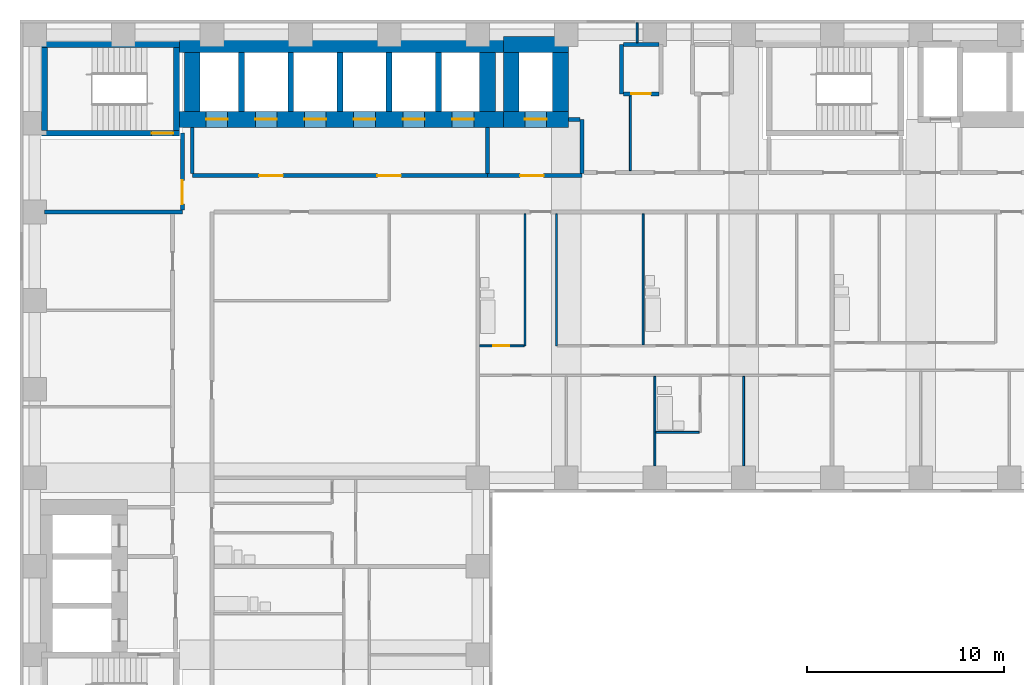
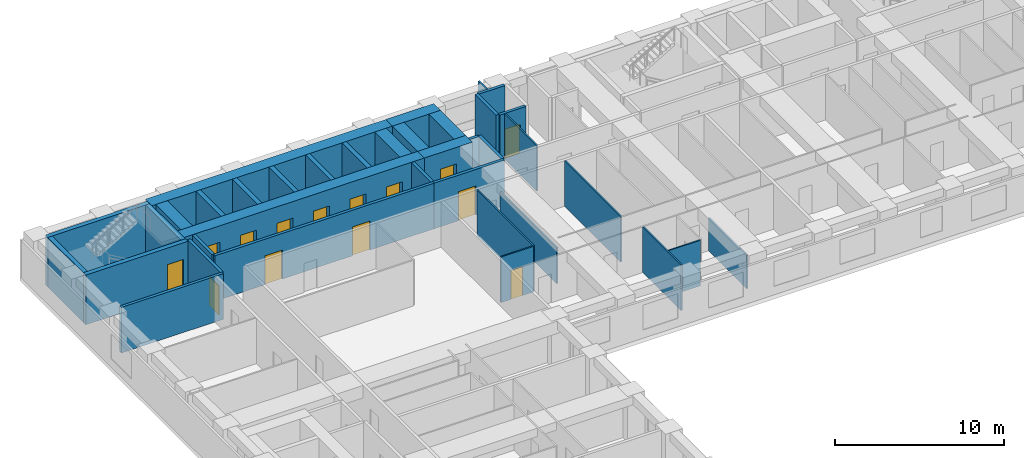
# One storey, part 5 of 12: 37 walls, 14 doors, 14 openings.
"""IFC4 building model written with IfcOpenShell, lengths in metres."""

import ifcopenshell
import ifcopenshell.guid

model = None  # the IFC model being written
_history = None  # IfcOwnerHistory: only IFC2X3 demands one
_inside = {}  # id of a spatial element -> (the spatial element, [elements in it])
_under = {}  # id of a project, library or spatial element -> (it, [spatial elements below it])
_declared = {}  # id of a project -> (the project, [libraries it declares])
_typed = {}  # id of a type object -> (the type object, [elements of that type])
_made_of = {}  # id of a material, layer set ... -> (it, [elements and type objects made of it])


def new_model(schema):
    """Start an empty IFC model of exactly this schema.

    Asked for "IFC4X3", IfcOpenShell would pick the latest addendum, in which some entities
    have other attributes; the version numbers below select the first issue.
    IFC2X3 requires an IfcOwnerHistory on every rooted entity: one is made here for all.
    """
    global model, _history
    if schema == "IFC4X3":
        model = ifcopenshell.file(schema_version=(4, 3, 0, 0))
    else:
        model = ifcopenshell.file(schema=schema)
    _inside.clear()
    _under.clear()
    _declared.clear()
    _typed.clear()
    _made_of.clear()
    _history = None
    if model.schema == "IFC2X3":
        org = make("IfcOrganization", Name="unknown")
        user = make(
            "IfcPersonAndOrganization",
            ThePerson=make("IfcPerson", FamilyName="unknown"),
            TheOrganization=org,
        )
        app = make(
            "IfcApplication",
            ApplicationDeveloper=org,
            Version="unknown",
            ApplicationFullName="unknown",
            ApplicationIdentifier="unknown",
        )
        _history = make(
            "IfcOwnerHistory",
            OwningUser=user,
            OwningApplication=app,
            ChangeAction="ADDED",
            CreationDate=0,
        )
    return model


def make(cls, **values):
    """One entity of the class cls with the attributes given. An attribute that is None is left unset."""
    return model.create_entity(
        cls, **{name: value for name, value in values.items() if value is not None}
    )


def rooted(cls, **values):
    """An entity with a GlobalId (a new one), such as an element, a storey or a relation."""
    return make(cls, GlobalId=ifcopenshell.guid.new(), OwnerHistory=_history, **values)


def si_unit(unit_type, name, prefix=None):
    """IfcSIUnit, for example si_unit("LENGTHUNIT", "METRE", prefix="MILLI")."""
    return make("IfcSIUnit", UnitType=unit_type, Prefix=prefix, Name=name)


def assignment(units):
    """IfcUnitAssignment: the units of a project."""
    return None if units is None else make("IfcUnitAssignment", Units=units)


def point(xyz):
    """IfcCartesianPoint."""
    return None if xyz is None else make("IfcCartesianPoint", Coordinates=xyz)


def direction(xyz):
    """IfcDirection."""
    return None if xyz is None else make("IfcDirection", DirectionRatios=xyz)


def frame(location, z_axis=None, x_axis=None):
    """IfcAxis2Placement3D, a coordinate frame: its origin and axes. An axis left out is left unset."""
    return make(
        "IfcAxis2Placement3D",
        Location=point(location),
        Axis=direction(z_axis),
        RefDirection=direction(x_axis),
    )


def frame_2d(location, x_axis=None):
    """IfcAxis2Placement2D, a coordinate frame in the plane: its origin and x axis."""
    return make(
        "IfcAxis2Placement2D", Location=point(location), RefDirection=direction(x_axis)
    )


def origin():
    """The frame at (0, 0, 0) with its axes left unset."""
    return frame((0.0, 0.0, 0.0))


def place(relative_to, where):
    """IfcLocalPlacement: puts the frame where relative to a parent placement (None: the world)."""
    return make(
        "IfcLocalPlacement", PlacementRelTo=relative_to, RelativePlacement=where
    )


def context(
    kind, dimensions, precision=None, world=None, true_north=None, identifier=None
):
    """IfcGeometricRepresentationContext, for example the 3D "Model" context."""
    return make(
        "IfcGeometricRepresentationContext",
        ContextIdentifier=identifier,
        ContextType=kind,
        CoordinateSpaceDimension=dimensions,
        Precision=precision,
        WorldCoordinateSystem=world,
        TrueNorth=true_north,
    )


def subcontext(parent, identifier, kind, view, scale=None):
    """IfcGeometricRepresentationSubContext, for example "Body" below "Model"."""
    return make(
        "IfcGeometricRepresentationSubContext",
        ContextIdentifier=identifier,
        ContextType=kind,
        ParentContext=parent,
        TargetScale=scale,
        TargetView=view,
    )


def project(units=None, contexts=None):
    """IfcProject with its units and contexts."""
    return rooted(
        "IfcProject",
        Name="project",
        RepresentationContexts=contexts,
        UnitsInContext=assignment(units),
    )


def spatial(cls, under=None, at=None, **own):
    """A site, building, storey or space (cls), placed at a placement, below another one or the project."""
    s = rooted(cls, ObjectPlacement=at, **own)
    if under is not None:
        _under.setdefault(under.id(), (under, []))[1].append(s)
    return s


def profile(cls, at=None, kind="AREA", **sizes):
    """A parametric profile (cls). Its sizes go by their IFC names, for example OverallWidth=200.0."""
    return make(cls, ProfileType=kind, Position=at, **sizes)


def rectangle(**sizes):
    """IfcRectangleProfileDef."""
    return profile("IfcRectangleProfileDef", **sizes)


def extrude(swept, where, along, depth):
    """IfcExtrudedAreaSolid: the profile swept, set in the frame where, extruded along a direction by depth."""
    return make(
        "IfcExtrudedAreaSolid",
        SweptArea=swept,
        Position=where,
        ExtrudedDirection=direction(along),
        Depth=depth,
    )


def shape(context_of_items, identifier, shape_type, items):
    """IfcShapeRepresentation: the items that make up one representation, for example the "Body"."""
    return make(
        "IfcShapeRepresentation",
        ContextOfItems=context_of_items,
        RepresentationIdentifier=identifier,
        RepresentationType=shape_type,
        Items=items,
    )


def material(Name=None, Category=None):
    """IfcMaterial."""
    return make("IfcMaterial", Name=Name, Category=Category)


def layer(
    of_material, thickness, ventilated=None, Name=None, Category=None, Priority=None
):
    """IfcMaterialLayer: one layer of a wall or slab, of a material (None: an air gap)."""
    return make(
        "IfcMaterialLayer",
        Material=of_material,
        LayerThickness=thickness,
        IsVentilated=ventilated,
        Name=Name,
        Category=Category,
        Priority=Priority,
    )


def layer_set(layers, Name=None):
    """IfcMaterialLayerSet."""
    return make("IfcMaterialLayerSet", MaterialLayers=layers, LayerSetName=Name)


def made_of(thing, what):
    """Note that an element or type object is made of a material, layer set ...; save() writes the relation."""
    if what is not None:
        _made_of.setdefault(what.id(), (what, []))[1].append(thing)
    return thing


def type_object(cls, material=None, **own):
    """A type object (cls), such as IfcWallType, which elements share."""
    return made_of(rooted(cls, **own), material)


def element(
    cls,
    number,
    at=None,
    inside=None,
    cuts=None,
    type_object=None,
    material=None,
    context=None,
    identifier="Body",
    shape_type=None,
    held_by="IfcProductDefinitionShape",
    body=None,
    shapes=None,
    **own,
):
    """One element of the class cls, such as IfcWall. Its Tag is "e" and its number.

    at: its placement. inside: the storey or other place that contains it. cuts: it is an
    opening in that element (IfcRelVoidsElement). A single representation is given by context,
    identifier, shape_type and body (its items); several are given by shapes. held_by: the class
    of the entity that holds the representations. save() writes the other relations.
    """
    e = rooted(cls, Tag="e%d" % number, ObjectPlacement=at, **own)
    if body is not None:
        shapes = [shape(context, identifier, shape_type, body)]
    if shapes is not None:
        e.Representation = make(held_by, Representations=shapes)
    if inside is not None:
        _inside.setdefault(inside.id(), (inside, []))[1].append(e)
    if cuts is not None:
        rooted(
            "IfcRelVoidsElement", RelatingBuildingElement=cuts, RelatedOpeningElement=e
        )
    if type_object is not None:
        _typed.setdefault(type_object.id(), (type_object, []))[1].append(e)
    return made_of(e, material)


def fill(opening, filler):
    """IfcRelFillsElement: the door or window that sits in an opening."""
    return rooted(
        "IfcRelFillsElement",
        RelatingOpeningElement=opening,
        RelatedBuildingElement=filler,
    )


def aggregate(whole, parts):
    """IfcRelAggregates: a whole, such as a stair, and the parts it consists of."""
    return rooted("IfcRelAggregates", RelatingObject=whole, RelatedObjects=parts)


def save(model, path):
    """Write the relations noted so far, then the file.

    IfcRelAggregates (storeys below a building ...), IfcRelContainedInSpatialStructure (elements
    in a storey), IfcRelDefinesByType, IfcRelAssociatesMaterial and IfcRelDeclares: one each for
    every whole, place, type object, material and project.
    """
    for whole, parts in _under.values():
        aggregate(whole, parts)
    for where, things in _inside.values():
        rooted(
            "IfcRelContainedInSpatialStructure",
            RelatedElements=things,
            RelatingStructure=where,
        )
    for kind, things in _typed.values():
        rooted("IfcRelDefinesByType", RelatedObjects=things, RelatingType=kind)
    for what, things in _made_of.values():
        rooted("IfcRelAssociatesMaterial", RelatedObjects=things, RelatingMaterial=what)
    for by, libraries in _declared.values():
        rooted("IfcRelDeclares", RelatingContext=by, RelatedDefinitions=libraries)
    model.write(path)


model = new_model("IFC4")

# Units and contexts
model_context = context("Model", 3, precision=1e-05, world=origin(), true_north=direction((0.0, 1.0)))
body_context = subcontext(model_context, "Body", "Model", "MODEL_VIEW")
ifc_project = project(units=[si_unit("LENGTHUNIT", "METRE"), si_unit("AREAUNIT", "SQUARE_METRE"), si_unit("VOLUMEUNIT", "CUBIC_METRE"), si_unit("PLANEANGLEUNIT", "RADIAN"), si_unit("MASSUNIT", "GRAM", prefix="KILO")], contexts=[model_context])

# Site, building, storey
site_placement = place(None, origin())
site = spatial("IfcSite", under=ifc_project, at=site_placement, CompositionType="ELEMENT")
building_placement = place(site_placement, origin())
building = spatial("IfcBuilding", under=site, at=building_placement, Name="Firuza Court", CompositionType="ELEMENT")
storey_placement = place(building_placement, frame((0.0, 0.0, 54.199951171875)))
storey = spatial("IfcBuildingStorey", under=building, at=storey_placement, Name="L12", CompositionType="ELEMENT", Elevation=54.199951171875)

# Walls
ifc_material_1 = material(Name="Moisture-resistant gypsum board partition")
ifc_layer_1 = layer(ifc_material_1, 0.10009765625)
ifc_layer_set_1 = layer_set([ifc_layer_1], Name="Moisture-resistant gypsum board partition")
wall_type_1 = type_object("IfcWallType", Name="Bathroom partition 100", PredefinedType="PLUMBINGWALL", material=ifc_layer_set_1)
wall_1_placement = place(storey_placement, frame((31.550048828125, 38.300048828125, 0.0), z_axis=(0.0, 0.0, 1.0), x_axis=(1.0, 0.0, 0.0)))
element("IfcWall", 1, at=wall_1_placement, inside=storey, type_object=wall_type_1, Name="Bathroom partition 100 L12", PredefinedType="PLUMBINGWALL", context=body_context, shape_type="SweptSolid", body=[
    extrude(rectangle(XDim=2.199951171875, YDim=0.10009765625, at=frame_2d((1.10009765625, 0.0))), origin(), (0.0, 0.0, 1.0), 3.300048828125),
])
wall_2_placement = place(storey_placement, frame((24.89990234375, 42.699951171875, 0.0), z_axis=(0.0, 0.0, 1.0), x_axis=(0.0, 1.0, 0.0)))
element("IfcWall", 2, at=wall_2_placement, inside=storey, type_object=wall_type_1, Name="Bathroom partition 100 L12", PredefinedType="PLUMBINGWALL", context=body_context, shape_type="SweptSolid", body=[
    extrude(rectangle(XDim=6.699951171875, YDim=0.10009765625, at=frame_2d((3.35009765625, 0.0))), origin(), (0.0, 0.0, 1.0), 3.300048828125),
])
wall_3_placement = place(storey_placement, frame((30.89990234375, 42.75, 0.0), z_axis=(0.0, 0.0, 1.0), x_axis=(0.0, 1.0, 0.0)))
element("IfcWall", 3, at=wall_3_placement, inside=storey, type_object=wall_type_1, Name="Bathroom partition 100 L12", PredefinedType="PLUMBINGWALL", context=body_context, shape_type="SweptSolid", body=[
    extrude(rectangle(XDim=6.64990234375, YDim=0.10009765625, at=frame_2d((3.324951171875, 0.0))), origin(), (0.0, 0.0, 1.0), 3.300048828125),
])

# Wall, opening, door
ifc_material_2 = material(Name="Concrete C60/75", Category="concrete")
ifc_layer_2 = layer(ifc_material_2, 0.300048828125)
ifc_layer_set_2 = layer_set([ifc_layer_2], Name="Concrete C60/75")
wall_type_2 = type_object("IfcWallType", Name="Core wall 300 C60/75", PredefinedType="SHEAR", material=ifc_layer_set_2)
wall_4_placement = place(storey_placement, frame((0.35009765625, 53.5, -0.300048828125), z_axis=(0.0, 0.0, 1.0), x_axis=(1.0, 0.0, 0.0)))
wall_4 = element("IfcWall", 4, at=wall_4_placement, inside=storey, type_object=wall_type_2, Name="Core wall stair L12", PredefinedType="SHEAR", context=body_context, shape_type="SweptSolid", body=[
    extrude(rectangle(XDim=7.0, YDim=0.300048828125, at=frame_2d((3.5, 0.0))), origin(), (0.0, 0.0, 1.0), 3.60009765625),
])
opening_1_placement = place(wall_4_placement, frame((5.580078125, 0.0, 0.300048828125)))
opening_1 = element("IfcOpeningElement", 5, at=opening_1_placement, cuts=wall_4, Name="Opening D12016", PredefinedType="OPENING", context=body_context, shape_type="SweptSolid", body=[
    extrude(rectangle(XDim=1.10009765625, YDim=2.10009765625, at=frame_2d((0.550048828125, 1.050048828125))), frame((0.0, 0.162109375, 0.0), z_axis=(0.0, -1.0, 0.0), x_axis=(1.0, 0.0, 0.0)), (0.0, 0.0, 1.0), 0.323974609375),
])
ifc_material_3 = material(Name="Timber door leaf in hardwood frame", Category="wood")
door_type_1 = type_object("IfcDoorType", Name="Stair door 1100", OperationType="SINGLE_SWING_LEFT", PredefinedType="DOOR", material=ifc_material_3)
door_1_placement = place(opening_1_placement, origin())
door_1 = element("IfcDoor", 6, at=door_1_placement, inside=storey, type_object=door_type_1, Name="Stair door S3", OperationType="SINGLE_SWING_RIGHT", OverallHeight=2.10009765625, OverallWidth=1.10009765625, PredefinedType="DOOR", context=body_context, shape_type="SweptSolid", body=[
    extrude(rectangle(XDim=1.10009765625, YDim=2.10009765625, at=frame_2d((0.550048828125, 1.050048828125))), frame((0.0, 0.02490234375, 0.0), z_axis=(0.0, -1.0, 0.0), x_axis=(1.0, 0.0, 0.0)), (0.0, 0.0, 1.0), 0.050048828125),
])
fill(opening_1, door_1)

# Walls
wall_5_placement = place(storey_placement, frame((0.35009765625, 58.0, -0.300048828125), z_axis=(0.0, 0.0, 1.0), x_axis=(1.0, 0.0, 0.0)))
element("IfcWall", 7, at=wall_5_placement, inside=storey, type_object=wall_type_2, Name="Core wall stair L12", PredefinedType="SHEAR", context=body_context, shape_type="SweptSolid", body=[
    extrude(rectangle(XDim=7.0, YDim=0.300048828125, at=frame_2d((3.5, 0.0))), origin(), (0.0, 0.0, 1.0), 3.60009765625),
])
for number, where, z_axis, x_axis, name in (
    (8, (0.5, 53.64990234375, -0.300048828125), (0.0, 0.0, 1.0), (0.0, 1.0, 0.0), "Core wall stair L12"),
    (9, (7.199951171875, 53.64990234375, -0.300048828125), (0.0, 0.0, 1.0), (0.0, 1.0, 0.0), "Core wall stair L12"),
):
    element("IfcWall", number, at=place(storey_placement, frame(where, z_axis=z_axis, x_axis=x_axis)), inside=storey, type_object=wall_type_2, Name=name, PredefinedType="SHEAR", context=body_context, shape_type="SweptSolid", body=[
        extrude(rectangle(XDim=4.2001953125, YDim=0.300048828125, at=frame_2d((2.10009765625, 0.0))), origin(), (0.0, 0.0, 1.0), 3.60009765625),
    ])
for number, where, z_axis, x_axis, name in (
    (10, (10.5, 54.60009765625, -0.300048828125), (0.0, 0.0, 1.0), (0.0, 1.0, 0.0), "Core wall lift shaft L12"),
    (11, (13.0, 54.60009765625, -0.300048828125), (0.0, 0.0, 1.0), (0.0, 1.0, 0.0), "Core wall lift shaft L12"),
    (12, (15.5, 54.60009765625, -0.300048828125), (0.0, 0.0, 1.0), (0.0, 1.0, 0.0), "Core wall lift shaft L12"),
    (13, (18.0, 54.60009765625, -0.300048828125), (0.0, 0.0, 1.0), (0.0, 1.0, 0.0), "Core wall lift shaft L12"),
    (14, (20.5, 54.60009765625, -0.300048828125), (0.0, 0.0, 1.0), (0.0, 1.0, 0.0), "Core wall lift shaft L12"),
):
    element("IfcWall", number, at=place(storey_placement, frame(where, z_axis=z_axis, x_axis=x_axis)), inside=storey, type_object=wall_type_2, Name=name, PredefinedType="SHEAR", context=body_context, shape_type="SweptSolid", body=[
        extrude(rectangle(XDim=3.0, YDim=0.300048828125, at=frame_2d((1.5, 0.0))), origin(), (0.0, 0.0, 1.0), 3.60009765625),
    ])

# Wall, openings, doors
ifc_layer_3 = layer(ifc_material_2, 0.800048828125)
ifc_layer_set_3 = layer_set([ifc_layer_3], Name="Concrete C60/75")
wall_type_3 = type_object("IfcWallType", Name="Core wall 800 C60/75", PredefinedType="SHEAR", material=ifc_layer_set_3)
wall_6_placement = place(storey_placement, frame((7.35009765625, 54.199951171875, -0.300048828125), z_axis=(0.0, 0.0, 1.0), x_axis=(1.0, 0.0, 0.0)))
wall_6 = element("IfcWall", 15, at=wall_6_placement, inside=storey, type_object=wall_type_3, Name="Core wall lift shaft L12", PredefinedType="SHEAR", context=body_context, shape_type="SweptSolid", body=[
    extrude(rectangle(XDim=16.449951171875, YDim=0.800048828125, at=frame_2d((8.22509765625, 0.0))), origin(), (0.0, 0.0, 1.0), 3.60009765625),
])
opening_2_placement = place(wall_6_placement, frame((1.35009765625, 0.0, 0.300048828125)))
opening_2 = element("IfcOpeningElement", 16, at=opening_2_placement, cuts=wall_6, Name="Opening LD-LB1-12", PredefinedType="OPENING", context=body_context, shape_type="SweptSolid", body=[
    extrude(rectangle(XDim=1.10009765625, YDim=2.10009765625, at=frame_2d((0.550048828125, 1.050048828125))), frame((0.0, 0.412109375, 0.0), z_axis=(0.0, -1.0, 0.0), x_axis=(1.0, 0.0, 0.0)), (0.0, 0.0, 1.0), 0.823974609375),
])
opening_3_placement = place(wall_6_placement, frame((3.85009765625, 0.0, 0.300048828125)))
opening_3 = element("IfcOpeningElement", 17, at=opening_3_placement, cuts=wall_6, Name="Opening LD-LB2-12", PredefinedType="OPENING", context=body_context, shape_type="SweptSolid", body=[
    extrude(rectangle(XDim=1.10009765625, YDim=2.10009765625, at=frame_2d((0.550048828125, 1.050048828125))), frame((0.0, 0.412109375, 0.0), z_axis=(0.0, -1.0, 0.0), x_axis=(1.0, 0.0, 0.0)), (0.0, 0.0, 1.0), 0.823974609375),
])
opening_4_placement = place(wall_6_placement, frame((6.35009765625, 0.0, 0.300048828125)))
opening_4 = element("IfcOpeningElement", 18, at=opening_4_placement, cuts=wall_6, Name="Opening LD-LB3-12", PredefinedType="OPENING", context=body_context, shape_type="SweptSolid", body=[
    extrude(rectangle(XDim=1.10009765625, YDim=2.10009765625, at=frame_2d((0.550048828125, 1.050048828125))), frame((0.0, 0.412109375, 0.0), z_axis=(0.0, -1.0, 0.0), x_axis=(1.0, 0.0, 0.0)), (0.0, 0.0, 1.0), 0.823974609375),
])
opening_5_placement = place(wall_6_placement, frame((8.85009765625, 0.0, 0.300048828125)))
opening_5 = element("IfcOpeningElement", 19, at=opening_5_placement, cuts=wall_6, Name="Opening LD-LB4-12", PredefinedType="OPENING", context=body_context, shape_type="SweptSolid", body=[
    extrude(rectangle(XDim=1.10009765625, YDim=2.10009765625, at=frame_2d((0.550048828125, 1.050048828125))), frame((0.0, 0.412109375, 0.0), z_axis=(0.0, -1.0, 0.0), x_axis=(1.0, 0.0, 0.0)), (0.0, 0.0, 1.0), 0.823974609375),
])
opening_6_placement = place(wall_6_placement, frame((11.35009765625, 0.0, 0.300048828125)))
opening_6 = element("IfcOpeningElement", 20, at=opening_6_placement, cuts=wall_6, Name="Opening LD-LB5-12", PredefinedType="OPENING", context=body_context, shape_type="SweptSolid", body=[
    extrude(rectangle(XDim=1.10009765625, YDim=2.10009765625, at=frame_2d((0.550048828125, 1.050048828125))), frame((0.0, 0.412109375, 0.0), z_axis=(0.0, -1.0, 0.0), x_axis=(1.0, 0.0, 0.0)), (0.0, 0.0, 1.0), 0.823974609375),
])
opening_7_placement = place(wall_6_placement, frame((13.85009765625, 0.0, 0.300048828125)))
opening_7 = element("IfcOpeningElement", 21, at=opening_7_placement, cuts=wall_6, Name="Opening LD-LB6-12", PredefinedType="OPENING", context=body_context, shape_type="SweptSolid", body=[
    extrude(rectangle(XDim=1.10009765625, YDim=2.10009765625, at=frame_2d((0.550048828125, 1.050048828125))), frame((0.0, 0.412109375, 0.0), z_axis=(0.0, -1.0, 0.0), x_axis=(1.0, 0.0, 0.0)), (0.0, 0.0, 1.0), 0.823974609375),
])
ifc_material_4 = material(Name="Stainless steel 1.4301 door leaf", Category="steel")
door_type_2 = type_object("IfcDoorType", Name="Lift landing door 1100", OperationType="SLIDING_TO_LEFT", PredefinedType="DOOR", material=ifc_material_4)
door_2_placement = place(opening_2_placement, origin())
door_2 = element("IfcDoor", 22, at=door_2_placement, inside=storey, type_object=door_type_2, Name="Landing door LB1", OperationType="SLIDING_TO_LEFT", OverallHeight=2.10009765625, OverallWidth=1.10009765625, PredefinedType="DOOR", context=body_context, shape_type="SweptSolid", body=[
    extrude(rectangle(XDim=1.10009765625, YDim=2.10009765625, at=frame_2d((0.550048828125, 1.050048828125))), frame((0.0, 0.02490234375, 0.0), z_axis=(0.0, -1.0, 0.0), x_axis=(1.0, 0.0, 0.0)), (0.0, 0.0, 1.0), 0.050048828125),
])
fill(opening_2, door_2)
door_3_placement = place(opening_3_placement, origin())
door_3 = element("IfcDoor", 23, at=door_3_placement, inside=storey, type_object=door_type_2, Name="Landing door LB2", OperationType="SLIDING_TO_LEFT", OverallHeight=2.10009765625, OverallWidth=1.10009765625, PredefinedType="DOOR", context=body_context, shape_type="SweptSolid", body=[
    extrude(rectangle(XDim=1.10009765625, YDim=2.10009765625, at=frame_2d((0.550048828125, 1.050048828125))), frame((0.0, 0.02490234375, 0.0), z_axis=(0.0, -1.0, 0.0), x_axis=(1.0, 0.0, 0.0)), (0.0, 0.0, 1.0), 0.050048828125),
])
fill(opening_3, door_3)
door_4_placement = place(opening_4_placement, origin())
door_4 = element("IfcDoor", 24, at=door_4_placement, inside=storey, type_object=door_type_2, Name="Landing door LB3", OperationType="SLIDING_TO_LEFT", OverallHeight=2.10009765625, OverallWidth=1.10009765625, PredefinedType="DOOR", context=body_context, shape_type="SweptSolid", body=[
    extrude(rectangle(XDim=1.10009765625, YDim=2.10009765625, at=frame_2d((0.550048828125, 1.050048828125))), frame((0.0, 0.02490234375, 0.0), z_axis=(0.0, -1.0, 0.0), x_axis=(1.0, 0.0, 0.0)), (0.0, 0.0, 1.0), 0.050048828125),
])
fill(opening_4, door_4)
door_5_placement = place(opening_5_placement, origin())
door_5 = element("IfcDoor", 25, at=door_5_placement, inside=storey, type_object=door_type_2, Name="Landing door LB4", OperationType="SLIDING_TO_LEFT", OverallHeight=2.10009765625, OverallWidth=1.10009765625, PredefinedType="DOOR", context=body_context, shape_type="SweptSolid", body=[
    extrude(rectangle(XDim=1.10009765625, YDim=2.10009765625, at=frame_2d((0.550048828125, 1.050048828125))), frame((0.0, 0.02490234375, 0.0), z_axis=(0.0, -1.0, 0.0), x_axis=(1.0, 0.0, 0.0)), (0.0, 0.0, 1.0), 0.050048828125),
])
fill(opening_5, door_5)
door_6_placement = place(opening_6_placement, origin())
door_6 = element("IfcDoor", 26, at=door_6_placement, inside=storey, type_object=door_type_2, Name="Landing door LB5", OperationType="SLIDING_TO_LEFT", OverallHeight=2.10009765625, OverallWidth=1.10009765625, PredefinedType="DOOR", context=body_context, shape_type="SweptSolid", body=[
    extrude(rectangle(XDim=1.10009765625, YDim=2.10009765625, at=frame_2d((0.550048828125, 1.050048828125))), frame((0.0, 0.02490234375, 0.0), z_axis=(0.0, -1.0, 0.0), x_axis=(1.0, 0.0, 0.0)), (0.0, 0.0, 1.0), 0.050048828125),
])
fill(opening_6, door_6)
door_7_placement = place(opening_7_placement, origin())
door_7 = element("IfcDoor", 27, at=door_7_placement, inside=storey, type_object=door_type_2, Name="Landing door LB6", OperationType="SLIDING_TO_LEFT", OverallHeight=2.10009765625, OverallWidth=1.10009765625, PredefinedType="DOOR", context=body_context, shape_type="SweptSolid", body=[
    extrude(rectangle(XDim=1.10009765625, YDim=2.10009765625, at=frame_2d((0.550048828125, 1.050048828125))), frame((0.0, 0.02490234375, 0.0), z_axis=(0.0, -1.0, 0.0), x_axis=(1.0, 0.0, 0.0)), (0.0, 0.0, 1.0), 0.050048828125),
])
fill(opening_7, door_7)

# Walls
wall_7_placement = place(storey_placement, frame((7.35009765625, 58.0, -0.300048828125), z_axis=(0.0, 0.0, 1.0), x_axis=(1.0, 0.0, 0.0)))
element("IfcWall", 28, at=wall_7_placement, inside=storey, type_object=wall_type_3, Name="Core wall lift shaft L12", PredefinedType="SHEAR", context=body_context, shape_type="SweptSolid", body=[
    extrude(rectangle(XDim=16.449951171875, YDim=0.800048828125, at=frame_2d((8.22509765625, 0.0))), origin(), (0.0, 0.0, 1.0), 3.60009765625),
])
for number, where, z_axis, x_axis, name in (
    (29, (8.0, 54.60009765625, -0.300048828125), (0.0, 0.0, 1.0), (0.0, 1.0, 0.0), "Core wall lift shaft L12"),
    (30, (23.0, 54.60009765625, -0.300048828125), (0.0, 0.0, 1.0), (0.0, 1.0, 0.0), "Core wall lift shaft L12"),
):
    element("IfcWall", number, at=place(storey_placement, frame(where, z_axis=z_axis, x_axis=x_axis)), inside=storey, type_object=wall_type_3, Name=name, PredefinedType="SHEAR", context=body_context, shape_type="SweptSolid", body=[
        extrude(rectangle(XDim=3.0, YDim=0.800048828125, at=frame_2d((1.5, 0.0))), origin(), (0.0, 0.0, 1.0), 3.60009765625),
    ])

# Wall, opening, door
wall_8_placement = place(storey_placement, frame((23.800048828125, 54.199951171875, -0.300048828125), z_axis=(0.0, 0.0, 1.0), x_axis=(1.0, 0.0, 0.0)))
wall_8 = element("IfcWall", 31, at=wall_8_placement, inside=storey, type_object=wall_type_3, Name="Core wall lift shaft L12", PredefinedType="SHEAR", context=body_context, shape_type="SweptSolid", body=[
    extrude(rectangle(XDim=3.300048828125, YDim=0.800048828125, at=frame_2d((1.64990234375, 0.0))), origin(), (0.0, 0.0, 1.0), 3.60009765625),
])
opening_8_placement = place(wall_8_placement, frame((1.10009765625, 0.0, 0.300048828125)))
opening_8 = element("IfcOpeningElement", 32, at=opening_8_placement, cuts=wall_8, Name="Opening LD-FL3-12", PredefinedType="OPENING", context=body_context, shape_type="SweptSolid", body=[
    extrude(rectangle(XDim=1.10009765625, YDim=2.10009765625, at=frame_2d((0.550048828125, 1.050048828125))), frame((0.0, 0.412109375, 0.0), z_axis=(0.0, -1.0, 0.0), x_axis=(1.0, 0.0, 0.0)), (0.0, 0.0, 1.0), 0.823974609375),
])
door_8_placement = place(opening_8_placement, origin())
door_8 = element("IfcDoor", 33, at=door_8_placement, inside=storey, type_object=door_type_2, Name="Landing door FL3", OperationType="SLIDING_TO_LEFT", OverallHeight=2.10009765625, OverallWidth=1.10009765625, PredefinedType="DOOR", context=body_context, shape_type="SweptSolid", body=[
    extrude(rectangle(XDim=1.10009765625, YDim=2.10009765625, at=frame_2d((0.550048828125, 1.050048828125))), frame((0.0, 0.02490234375, 0.0), z_axis=(0.0, -1.0, 0.0), x_axis=(1.0, 0.0, 0.0)), (0.0, 0.0, 1.0), 0.050048828125),
])
fill(opening_8, door_8)

# Walls
wall_9_placement = place(storey_placement, frame((23.800048828125, 58.0, -0.300048828125), z_axis=(0.0, 0.0, 1.0), x_axis=(1.0, 0.0, 0.0)))
element("IfcWall", 34, at=wall_9_placement, inside=storey, type_object=wall_type_3, Name="Core wall lift shaft L12", PredefinedType="SHEAR", context=body_context, shape_type="SweptSolid", body=[
    extrude(rectangle(XDim=3.300048828125, YDim=0.800048828125, at=frame_2d((1.64990234375, 0.0))), origin(), (0.0, 0.0, 1.0), 3.60009765625),
])
for number, where, z_axis, x_axis, name in (
    (35, (24.199951171875, 54.60009765625, -0.300048828125), (0.0, 0.0, 1.0), (0.0, 1.0, 0.0), "Core wall lift shaft L12"),
    (36, (26.699951171875, 54.60009765625, -0.300048828125), (0.0, 0.0, 1.0), (0.0, 1.0, 0.0), "Core wall lift shaft L12"),
):
    element("IfcWall", number, at=place(storey_placement, frame(where, z_axis=z_axis, x_axis=x_axis)), inside=storey, type_object=wall_type_3, Name=name, PredefinedType="SHEAR", context=body_context, shape_type="SweptSolid", body=[
        extrude(rectangle(XDim=3.0, YDim=0.800048828125, at=frame_2d((1.5, 0.0))), origin(), (0.0, 0.0, 1.0), 3.60009765625),
    ])
ifc_material_5 = material(Name="Timber stud partition, plasterboard both sides", Category="wood")
ifc_layer_4 = layer(ifc_material_5, 0.10009765625)
ifc_layer_set_4 = layer_set([ifc_layer_4], Name="Timber stud partition, plasterboard both sides")
wall_type_4 = type_object("IfcWallType", Name="Partition wall 100", PredefinedType="PARTITIONING", material=ifc_layer_set_4)
wall_10_placement = place(storey_placement, frame((31.5, 36.60009765625, 0.0), z_axis=(0.0, 0.0, 1.0), x_axis=(0.0, 1.0, 0.0)))
element("IfcWall", 37, at=wall_10_placement, inside=storey, type_object=wall_type_4, Name="Partition wall 100 L12", PredefinedType="PARTITIONING", context=body_context, shape_type="SweptSolid", body=[
    extrude(rectangle(XDim=4.5498046875, YDim=0.10009765625, at=frame_2d((2.27490234375, 0.0))), origin(), (0.0, 0.0, 1.0), 3.300048828125),
])
wall_11_placement = place(storey_placement, frame((36.0, 36.60009765625, 0.0), z_axis=(0.0, 0.0, 1.0), x_axis=(0.0, 1.0, 0.0)))
element("IfcWall", 38, at=wall_11_placement, inside=storey, type_object=wall_type_4, Name="Partition wall 100 L12", PredefinedType="PARTITIONING", context=body_context, shape_type="SweptSolid", body=[
    extrude(rectangle(XDim=4.5498046875, YDim=0.10009765625, at=frame_2d((2.27490234375, 0.0))), origin(), (0.0, 0.0, 1.0), 2.400146484375),
])

# Wall, opening, door
wall_12_placement = place(storey_placement, frame((22.60009765625, 42.699951171875, 0.0), z_axis=(0.0, 0.0, 1.0), x_axis=(1.0, 0.0, 0.0)))
wall_12 = element("IfcWall", 39, at=wall_12_placement, inside=storey, type_object=wall_type_4, Name="Partition wall 100 L12", PredefinedType="PARTITIONING", context=body_context, shape_type="SweptSolid", body=[
    extrude(rectangle(XDim=2.25, YDim=0.10009765625, at=frame_2d((1.125, 0.0))), origin(), (0.0, 0.0, 1.0), 3.300048828125),
])
opening_9_placement = place(wall_12_placement, frame((0.699951171875, 0.0, 0.0)))
opening_9 = element("IfcOpeningElement", 40, at=opening_9_placement, cuts=wall_12, Name="Opening D12054", PredefinedType="OPENING", context=body_context, shape_type="SweptSolid", body=[
    extrude(rectangle(XDim=0.800048828125, YDim=2.10009765625, at=frame_2d((0.39990234375, 1.050048828125))), frame((0.0, 0.06201171875, 0.0), z_axis=(0.0, -1.0, 0.0), x_axis=(1.0, 0.0, 0.0)), (0.0, 0.0, 1.0), 0.1240234375),
])
ifc_material_6 = material(Name="Timber door leaf in hardwood frame", Category="wood")
door_type_3 = type_object("IfcDoorType", Name="Bathroom door 800", OperationType="SINGLE_SWING_LEFT", PredefinedType="DOOR", material=ifc_material_6)
door_9_placement = place(opening_9_placement, origin())
door_9 = element("IfcDoor", 41, at=door_9_placement, inside=storey, type_object=door_type_3, Name="Bathroom door", OperationType="SINGLE_SWING_LEFT", OverallHeight=2.10009765625, OverallWidth=0.800048828125, PredefinedType="DOOR", context=body_context, shape_type="SweptSolid", body=[
    extrude(rectangle(XDim=0.800048828125, YDim=2.10009765625, at=frame_2d((0.39990234375, 1.050048828125))), frame((0.0, 0.02490234375, 0.0), z_axis=(0.0, -1.0, 0.0), x_axis=(1.0, 0.0, 0.0)), (0.0, 0.0, 1.0), 0.050048828125),
])
fill(opening_9, door_9)

# Walls
wall_13_placement = place(storey_placement, frame((26.5, 42.699951171875, 0.0), z_axis=(0.0, 0.0, 1.0), x_axis=(0.0, 1.0, 0.0)))
element("IfcWall", 42, at=wall_13_placement, inside=storey, type_object=wall_type_4, Name="Partition wall 100 L12", PredefinedType="PARTITIONING", context=body_context, shape_type="SweptSolid", body=[
    extrude(rectangle(XDim=6.699951171875, YDim=0.10009765625, at=frame_2d((3.35009765625, 0.0))), origin(), (0.0, 0.0, 1.0), 2.60009765625),
])
wall_14_placement = place(storey_placement, frame((30.25, 51.60009765625, 0.0), z_axis=(0.0, 0.0, 1.0), x_axis=(0.0, 1.0, 0.0)))
element("IfcWall", 43, at=wall_14_placement, inside=storey, type_object=wall_type_4, Name="Partition wall 100 L12", PredefinedType="PARTITIONING", context=body_context, shape_type="SweptSolid", body=[
    extrude(rectangle(XDim=3.7998046875, YDim=0.10009765625, at=frame_2d((1.89990234375, 0.0))), origin(), (0.0, 0.0, 1.0), 3.300048828125),
])
wall_15_placement = place(storey_placement, frame((30.60009765625, 58.10009765625, 0.0), z_axis=(0.0, 0.0, 1.0), x_axis=(0.0, 1.0, 0.0)))
element("IfcWall", 44, at=wall_15_placement, inside=storey, type_object=wall_type_4, Name="Partition wall 100 L12", PredefinedType="PARTITIONING", context=body_context, shape_type="SweptSolid", body=[
    extrude(rectangle(XDim=1.0, YDim=0.10009765625, at=frame_2d((0.5, 0.0))), origin(), (0.0, 0.0, 1.0), 3.300048828125),
])
ifc_material_7 = material(Name="Blockwork, fire-rated", Category="masonry")
ifc_layer_5 = layer(ifc_material_7, 0.199951171875)
ifc_layer_set_5 = layer_set([ifc_layer_5], Name="Blockwork, fire-rated")
wall_type_5 = type_object("IfcWallType", Name="Plant room wall 200", PredefinedType="PARTITIONING", material=ifc_layer_set_5)
wall_16_placement = place(storey_placement, frame((29.800048828125, 55.5, 0.0), z_axis=(0.0, 0.0, 1.0), x_axis=(0.0, 1.0, 0.0)))
element("IfcWall", 45, at=wall_16_placement, inside=storey, type_object=wall_type_5, Name="Plant room wall 200 L12", PredefinedType="PARTITIONING", context=body_context, shape_type="SweptSolid", body=[
    extrude(rectangle(XDim=2.5, YDim=0.199951171875, at=frame_2d((1.25, 0.0))), origin(), (0.0, 0.0, 1.0), 3.300048828125),
])

# Wall, opening, door
wall_17_placement = place(storey_placement, frame((29.89990234375, 55.5, 0.0), z_axis=(0.0, 0.0, 1.0), x_axis=(1.0, 0.0, 0.0)))
wall_17 = element("IfcWall", 46, at=wall_17_placement, inside=storey, type_object=wall_type_5, Name="Plant room wall 200 L12", PredefinedType="PARTITIONING", context=body_context, shape_type="SweptSolid", body=[
    extrude(rectangle(XDim=1.800048828125, YDim=0.199951171875, at=frame_2d((0.89990234375, 0.0))), origin(), (0.0, 0.0, 1.0), 3.300048828125),
])
opening_10_placement = place(wall_17_placement, frame((0.39990234375, 0.0, 0.0)))
opening_10 = element("IfcOpeningElement", 47, at=opening_10_placement, cuts=wall_17, Name="Opening D12080", PredefinedType="OPENING", context=body_context, shape_type="SweptSolid", body=[
    extrude(rectangle(XDim=1.0, YDim=2.10009765625, at=frame_2d((0.5, 1.050048828125))), frame((0.0, 0.11181640625, 0.0), z_axis=(0.0, -1.0, 0.0), x_axis=(1.0, 0.0, 0.0)), (0.0, 0.0, 1.0), 0.223876953125),
])
ifc_material_8 = material(Name="Timber door leaf in hardwood frame", Category="wood")
door_type_4 = type_object("IfcDoorType", Name="Riser door 1000", OperationType="SINGLE_SWING_LEFT", PredefinedType="DOOR", material=ifc_material_8)
door_10_placement = place(opening_10_placement, origin())
door_10 = element("IfcDoor", 48, at=door_10_placement, inside=storey, type_object=door_type_4, Name="Electrical riser door", OperationType="SINGLE_SWING_LEFT", OverallHeight=2.10009765625, OverallWidth=1.0, PredefinedType="DOOR", context=body_context, shape_type="SweptSolid", body=[
    extrude(rectangle(XDim=1.0, YDim=2.10009765625, at=frame_2d((0.5, 1.050048828125))), frame((0.0, 0.02490234375, 0.0), z_axis=(0.0, -1.0, 0.0), x_axis=(1.0, 0.0, 0.0)), (0.0, 0.0, 1.0), 0.050048828125),
])
fill(opening_10, door_10)

# Wall
wall_18_placement = place(storey_placement, frame((29.89990234375, 58.0, 0.0), z_axis=(0.0, 0.0, 1.0), x_axis=(1.0, 0.0, 0.0)))
element("IfcWall", 49, at=wall_18_placement, inside=storey, type_object=wall_type_5, Name="Plant room wall 200 L12", PredefinedType="PARTITIONING", context=body_context, shape_type="SweptSolid", body=[
    extrude(rectangle(XDim=1.800048828125, YDim=0.199951171875, at=frame_2d((0.89990234375, 0.0))), origin(), (0.0, 0.0, 1.0), 3.300048828125),
])

# Wall, openings, doors
ifc_layer_6 = layer(ifc_material_7, 0.199951171875)
ifc_layer_set_6 = layer_set([ifc_layer_6], Name="Blockwork, fire-rated")
wall_type_6 = type_object("IfcWallType", Name="Shaft wall 200", PredefinedType="PARTITIONING", material=ifc_layer_set_6)
wall_19_placement = place(storey_placement, frame((8.0, 51.35009765625, 0.0), z_axis=(0.0, 0.0, 1.0), x_axis=(1.0, 0.0, 0.0)))
wall_19 = element("IfcWall", 50, at=wall_19_placement, inside=storey, type_object=wall_type_6, Name="Shaft wall 200 L12", PredefinedType="PARTITIONING", context=body_context, shape_type="SweptSolid", body=[
    extrude(rectangle(XDim=15.0, YDim=0.199951171875, at=frame_2d((7.5, 0.0))), origin(), (0.0, 0.0, 1.0), 3.300048828125),
])
opening_11_placement = place(wall_19_placement, frame((3.39990234375, 0.0, 0.0)))
opening_11 = element("IfcOpeningElement", 51, at=opening_11_placement, cuts=wall_19, Name="Opening D12004", PredefinedType="OPENING", context=body_context, shape_type="SweptSolid", body=[
    extrude(rectangle(XDim=1.199951171875, YDim=2.10009765625, at=frame_2d((0.60009765625, 1.050048828125))), frame((0.0, 0.11181640625, 0.0), z_axis=(0.0, -1.0, 0.0), x_axis=(1.0, 0.0, 0.0)), (0.0, 0.0, 1.0), 0.223876953125),
])
opening_12_placement = place(wall_19_placement, frame((9.39990234375, 0.0, 0.0)))
opening_12 = element("IfcOpeningElement", 52, at=opening_12_placement, cuts=wall_19, Name="Opening D12005", PredefinedType="OPENING", context=body_context, shape_type="SweptSolid", body=[
    extrude(rectangle(XDim=1.199951171875, YDim=2.10009765625, at=frame_2d((0.60009765625, 1.050048828125))), frame((0.0, 0.11181640625, 0.0), z_axis=(0.0, -1.0, 0.0), x_axis=(1.0, 0.0, 0.0)), (0.0, 0.0, 1.0), 0.223876953125),
])
ifc_material_9 = material(Name="Timber door leaf in hardwood frame", Category="wood")
door_type_5 = type_object("IfcDoorType", Name="Lobby door 1200", OperationType="SINGLE_SWING_LEFT", PredefinedType="DOOR", material=ifc_material_9)
door_11_placement = place(opening_11_placement, origin())
door_11 = element("IfcDoor", 53, at=door_11_placement, inside=storey, type_object=door_type_5, Name="Lobby door", OperationType="SINGLE_SWING_LEFT", OverallHeight=2.10009765625, OverallWidth=1.199951171875, PredefinedType="DOOR", context=body_context, shape_type="SweptSolid", body=[
    extrude(rectangle(XDim=1.199951171875, YDim=2.10009765625, at=frame_2d((0.60009765625, 1.050048828125))), frame((0.0, 0.02490234375, 0.0), z_axis=(0.0, -1.0, 0.0), x_axis=(1.0, 0.0, 0.0)), (0.0, 0.0, 1.0), 0.050048828125),
])
fill(opening_11, door_11)
door_12_placement = place(opening_12_placement, origin())
door_12 = element("IfcDoor", 54, at=door_12_placement, inside=storey, type_object=door_type_5, Name="Lobby door", OperationType="SINGLE_SWING_RIGHT", OverallHeight=2.10009765625, OverallWidth=1.199951171875, PredefinedType="DOOR", context=body_context, shape_type="SweptSolid", body=[
    extrude(rectangle(XDim=1.199951171875, YDim=2.10009765625, at=frame_2d((0.60009765625, 1.050048828125))), frame((0.0, 0.02490234375, 0.0), z_axis=(0.0, -1.0, 0.0), x_axis=(1.0, 0.0, 0.0)), (0.0, 0.0, 1.0), 0.050048828125),
])
fill(opening_12, door_12)

# Walls
for number, where, z_axis, x_axis, name in (
    (55, (23.0, 51.449951171875, 0.0), (0.0, 0.0, 1.0), (0.0, 1.0, 0.0), "Shaft wall 200 L12"),
    (56, (8.0, 51.449951171875, 0.0), (0.0, 0.0, 1.0), (0.0, 1.0, 0.0), "Shaft wall 200 L12"),
):
    element("IfcWall", number, at=place(storey_placement, frame(where, z_axis=z_axis, x_axis=x_axis)), inside=storey, type_object=wall_type_6, Name=name, PredefinedType="PARTITIONING", context=body_context, shape_type="SweptSolid", body=[
        extrude(rectangle(XDim=2.330078125, YDim=0.199951171875, at=frame_2d((1.1650390625, 0.0))), origin(), (0.0, 0.0, 1.0), 3.300048828125),
    ])

# Wall, opening, door
wall_20_placement = place(storey_placement, frame((23.0, 51.35009765625, 0.0), z_axis=(0.0, 0.0, 1.0), x_axis=(1.0, 0.0, 0.0)))
wall_20 = element("IfcWall", 57, at=wall_20_placement, inside=storey, type_object=wall_type_6, Name="Shaft wall 200 L12", PredefinedType="PARTITIONING", context=body_context, shape_type="SweptSolid", body=[
    extrude(rectangle(XDim=4.800048828125, YDim=0.199951171875, at=frame_2d((2.39990234375, 0.0))), origin(), (0.0, 0.0, 1.0), 3.300048828125),
])
opening_13_placement = place(wall_20_placement, frame((1.64990234375, 0.0, 0.0)))
opening_13 = element("IfcOpeningElement", 58, at=opening_13_placement, cuts=wall_20, Name="Opening D12003", PredefinedType="OPENING", context=body_context, shape_type="SweptSolid", body=[
    extrude(rectangle(XDim=1.199951171875, YDim=2.10009765625, at=frame_2d((0.60009765625, 1.050048828125))), frame((0.0, 0.11181640625, 0.0), z_axis=(0.0, -1.0, 0.0), x_axis=(1.0, 0.0, 0.0)), (0.0, 0.0, 1.0), 0.223876953125),
])
door_13_placement = place(opening_13_placement, origin())
door_13 = element("IfcDoor", 59, at=door_13_placement, inside=storey, type_object=door_type_5, Name="Fire-fighting lobby door", OperationType="SINGLE_SWING_LEFT", OverallHeight=2.10009765625, OverallWidth=1.199951171875, PredefinedType="DOOR", context=body_context, shape_type="SweptSolid", body=[
    extrude(rectangle(XDim=1.199951171875, YDim=2.10009765625, at=frame_2d((0.60009765625, 1.050048828125))), frame((0.0, 0.02490234375, 0.0), z_axis=(0.0, -1.0, 0.0), x_axis=(1.0, 0.0, 0.0)), (0.0, 0.0, 1.0), 0.050048828125),
])
fill(opening_13, door_13)

# Walls
wall_21_placement = place(storey_placement, frame((27.800048828125, 51.449951171875, 0.0), z_axis=(0.0, 0.0, 1.0), x_axis=(0.0, 1.0, 0.0)))
element("IfcWall", 60, at=wall_21_placement, inside=storey, type_object=wall_type_6, Name="Shaft wall 200 L12", PredefinedType="PARTITIONING", context=body_context, shape_type="SweptSolid", body=[
    extrude(rectangle(XDim=2.75, YDim=0.199951171875, at=frame_2d((1.375, 0.0))), origin(), (0.0, 0.0, 1.0), 3.300048828125),
])
wall_22_placement = place(storey_placement, frame((27.10009765625, 54.199951171875, 0.0), z_axis=(0.0, 0.0, 1.0), x_axis=(1.0, 0.0, 0.0)))
element("IfcWall", 61, at=wall_22_placement, inside=storey, type_object=wall_type_6, Name="Shaft wall 200 L12", PredefinedType="PARTITIONING", context=body_context, shape_type="SweptSolid", body=[
    extrude(rectangle(XDim=0.599853515625, YDim=0.199951171875, at=frame_2d((0.2998046875, 0.0))), origin(), (0.0, 0.0, 1.0), 3.300048828125),
])
wall_23_placement = place(storey_placement, frame((0.5, 49.5, 0.0), z_axis=(0.0, 0.0, 1.0), x_axis=(1.0, 0.0, 0.0)))
element("IfcWall", 62, at=wall_23_placement, inside=storey, type_object=wall_type_6, Name="Shaft wall 200 L12", PredefinedType="PARTITIONING", context=body_context, shape_type="SweptSolid", body=[
    extrude(rectangle(XDim=7.0, YDim=0.199951171875, at=frame_2d((3.5, 0.0))), origin(), (0.0, 0.0, 1.0), 3.300048828125),
])

# Wall, opening, door
wall_24_placement = place(storey_placement, frame((7.5, 49.60009765625, 0.0), z_axis=(0.0, 0.0, 1.0), x_axis=(0.0, 1.0, 0.0)))
wall_24 = element("IfcWall", 63, at=wall_24_placement, inside=storey, type_object=wall_type_6, Name="Shaft wall 200 L12", PredefinedType="PARTITIONING", context=body_context, shape_type="SweptSolid", body=[
    extrude(rectangle(XDim=3.89990234375, YDim=0.199951171875, at=frame_2d((1.949951171875, 0.0))), origin(), (0.0, 0.0, 1.0), 3.300048828125),
])
opening_14_placement = place(wall_24_placement, frame((0.300048828125, 0.0, 0.0)))
opening_14 = element("IfcOpeningElement", 64, at=opening_14_placement, cuts=wall_24, Name="Opening D12001", PredefinedType="OPENING", context=body_context, shape_type="SweptSolid", body=[
    extrude(rectangle(XDim=1.199951171875, YDim=2.10009765625, at=frame_2d((0.60009765625, 1.050048828125))), frame((0.0, 0.11181640625, 0.0), z_axis=(0.0, -1.0, 0.0), x_axis=(1.0, 0.0, 0.0)), (0.0, 0.0, 1.0), 0.223876953125),
])
door_14_placement = place(opening_14_placement, origin())
door_14 = element("IfcDoor", 65, at=door_14_placement, inside=storey, type_object=door_type_5, Name="Lobby door", OperationType="SINGLE_SWING_LEFT", OverallHeight=2.10009765625, OverallWidth=1.199951171875, PredefinedType="DOOR", context=body_context, shape_type="SweptSolid", body=[
    extrude(rectangle(XDim=1.199951171875, YDim=2.10009765625, at=frame_2d((0.60009765625, 1.050048828125))), frame((0.0, 0.02490234375, 0.0), z_axis=(0.0, -1.0, 0.0), x_axis=(1.0, 0.0, 0.0)), (0.0, 0.0, 1.0), 0.050048828125),
])
fill(opening_14, door_14)

save(model, "model.ifc")
